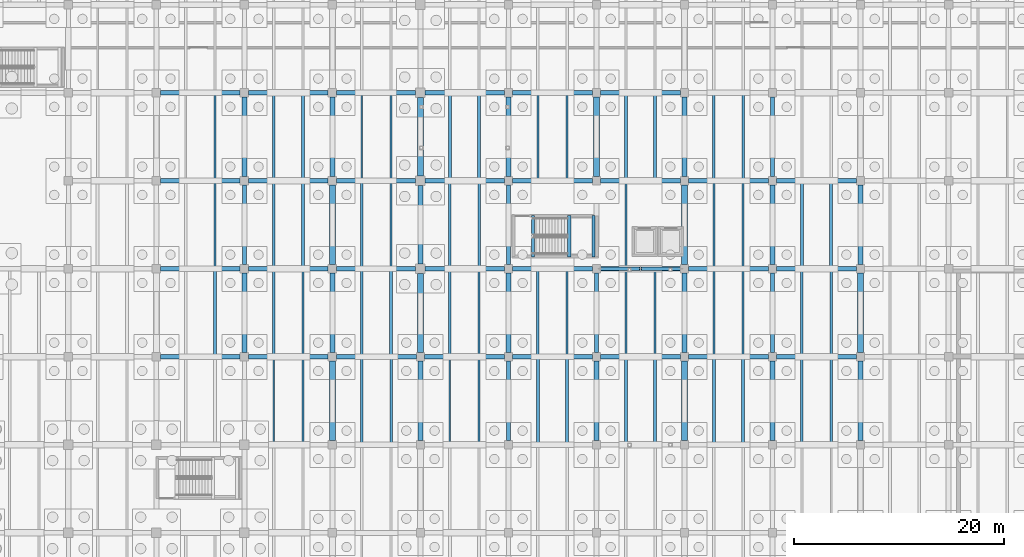
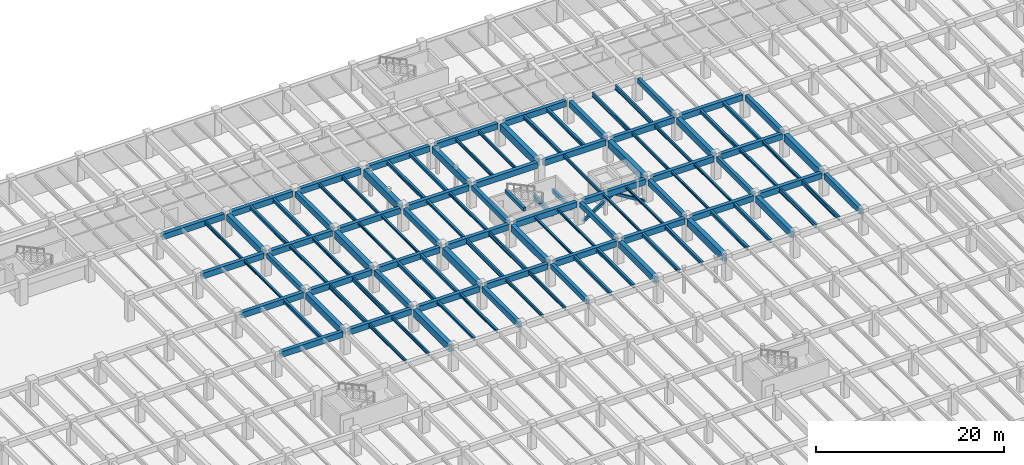
# One storey, part 29 of 70: 116 beams, 2 members.
"""IFC4 building model written with IfcOpenShell, lengths in metres."""

import ifcopenshell
import ifcopenshell.guid

model = None  # the IFC model being written
_history = None  # IfcOwnerHistory: only IFC2X3 demands one
_inside = {}  # id of a spatial element -> (the spatial element, [elements in it])
_under = {}  # id of a project, library or spatial element -> (it, [spatial elements below it])
_declared = {}  # id of a project -> (the project, [libraries it declares])
_typed = {}  # id of a type object -> (the type object, [elements of that type])
_made_of = {}  # id of a material, layer set ... -> (it, [elements and type objects made of it])


def new_model(schema):
    """Start an empty IFC model of exactly this schema.

    Asked for "IFC4X3", IfcOpenShell would pick the latest addendum, in which some entities
    have other attributes; the version numbers below select the first issue.
    IFC2X3 requires an IfcOwnerHistory on every rooted entity: one is made here for all.
    """
    global model, _history
    if schema == "IFC4X3":
        model = ifcopenshell.file(schema_version=(4, 3, 0, 0))
    else:
        model = ifcopenshell.file(schema=schema)
    _inside.clear()
    _under.clear()
    _declared.clear()
    _typed.clear()
    _made_of.clear()
    _history = None
    if model.schema == "IFC2X3":
        org = make("IfcOrganization", Name="unknown")
        user = make(
            "IfcPersonAndOrganization",
            ThePerson=make("IfcPerson", FamilyName="unknown"),
            TheOrganization=org,
        )
        app = make(
            "IfcApplication",
            ApplicationDeveloper=org,
            Version="unknown",
            ApplicationFullName="unknown",
            ApplicationIdentifier="unknown",
        )
        _history = make(
            "IfcOwnerHistory",
            OwningUser=user,
            OwningApplication=app,
            ChangeAction="ADDED",
            CreationDate=0,
        )
    return model


def make(cls, **values):
    """One entity of the class cls with the attributes given. An attribute that is None is left unset."""
    return model.create_entity(
        cls, **{name: value for name, value in values.items() if value is not None}
    )


def rooted(cls, **values):
    """An entity with a GlobalId (a new one), such as an element, a storey or a relation."""
    return make(cls, GlobalId=ifcopenshell.guid.new(), OwnerHistory=_history, **values)


def si_unit(unit_type, name, prefix=None):
    """IfcSIUnit, for example si_unit("LENGTHUNIT", "METRE", prefix="MILLI")."""
    return make("IfcSIUnit", UnitType=unit_type, Prefix=prefix, Name=name)


def assignment(units):
    """IfcUnitAssignment: the units of a project."""
    return None if units is None else make("IfcUnitAssignment", Units=units)


def point(xyz):
    """IfcCartesianPoint."""
    return None if xyz is None else make("IfcCartesianPoint", Coordinates=xyz)


def direction(xyz):
    """IfcDirection."""
    return None if xyz is None else make("IfcDirection", DirectionRatios=xyz)


def frame(location, z_axis=None, x_axis=None):
    """IfcAxis2Placement3D, a coordinate frame: its origin and axes. An axis left out is left unset."""
    return make(
        "IfcAxis2Placement3D",
        Location=point(location),
        Axis=direction(z_axis),
        RefDirection=direction(x_axis),
    )


def frame_2d(location, x_axis=None):
    """IfcAxis2Placement2D, a coordinate frame in the plane: its origin and x axis."""
    return make(
        "IfcAxis2Placement2D", Location=point(location), RefDirection=direction(x_axis)
    )


def origin():
    """The frame at (0, 0, 0) with its axes left unset."""
    return frame((0.0, 0.0, 0.0))


def origin_2d():
    """The frame at (0, 0) in the plane with its x axis left unset."""
    return frame_2d((0.0, 0.0))


def place(relative_to, where):
    """IfcLocalPlacement: puts the frame where relative to a parent placement (None: the world)."""
    return make(
        "IfcLocalPlacement", PlacementRelTo=relative_to, RelativePlacement=where
    )


def context(
    kind, dimensions, precision=None, world=None, true_north=None, identifier=None
):
    """IfcGeometricRepresentationContext, for example the 3D "Model" context."""
    return make(
        "IfcGeometricRepresentationContext",
        ContextIdentifier=identifier,
        ContextType=kind,
        CoordinateSpaceDimension=dimensions,
        Precision=precision,
        WorldCoordinateSystem=world,
        TrueNorth=true_north,
    )


def subcontext(parent, identifier, kind, view, scale=None):
    """IfcGeometricRepresentationSubContext, for example "Body" below "Model"."""
    return make(
        "IfcGeometricRepresentationSubContext",
        ContextIdentifier=identifier,
        ContextType=kind,
        ParentContext=parent,
        TargetScale=scale,
        TargetView=view,
    )


def project(units=None, contexts=None):
    """IfcProject with its units and contexts."""
    return rooted(
        "IfcProject",
        Name="project",
        RepresentationContexts=contexts,
        UnitsInContext=assignment(units),
    )


def spatial(cls, under=None, at=None, **own):
    """A site, building, storey or space (cls), placed at a placement, below another one or the project."""
    s = rooted(cls, ObjectPlacement=at, **own)
    if under is not None:
        _under.setdefault(under.id(), (under, []))[1].append(s)
    return s


def profile(cls, at=None, kind="AREA", **sizes):
    """A parametric profile (cls). Its sizes go by their IFC names, for example OverallWidth=200.0."""
    return make(cls, ProfileType=kind, Position=at, **sizes)


def rectangle(**sizes):
    """IfcRectangleProfileDef."""
    return profile("IfcRectangleProfileDef", **sizes)


def hollow_rectangle(**sizes):
    """IfcRectangleHollowProfileDef."""
    return profile("IfcRectangleHollowProfileDef", **sizes)


def i_section(**sizes):
    """IfcIShapeProfileDef."""
    return profile("IfcIShapeProfileDef", **sizes)


def extrude(swept, where, along, depth):
    """IfcExtrudedAreaSolid: the profile swept, set in the frame where, extruded along a direction by depth."""
    return make(
        "IfcExtrudedAreaSolid",
        SweptArea=swept,
        Position=where,
        ExtrudedDirection=direction(along),
        Depth=depth,
    )


def shape(context_of_items, identifier, shape_type, items):
    """IfcShapeRepresentation: the items that make up one representation, for example the "Body"."""
    return make(
        "IfcShapeRepresentation",
        ContextOfItems=context_of_items,
        RepresentationIdentifier=identifier,
        RepresentationType=shape_type,
        Items=items,
    )


def material(Name=None, Category=None):
    """IfcMaterial."""
    return make("IfcMaterial", Name=Name, Category=Category)


def material_profile(
    of_material, cross_section, Name=None, Category=None, Priority=None
):
    """IfcMaterialProfile: a cross section and its material."""
    return make(
        "IfcMaterialProfile",
        Name=Name,
        Material=of_material,
        Profile=cross_section,
        Priority=Priority,
        Category=Category,
    )


def profile_set(profiles, Name=None, composite=None):
    """IfcMaterialProfileSet."""
    return make(
        "IfcMaterialProfileSet",
        Name=Name,
        MaterialProfiles=profiles,
        CompositeProfile=composite,
    )


def made_of(thing, what):
    """Note that an element or type object is made of a material, layer set ...; save() writes the relation."""
    if what is not None:
        _made_of.setdefault(what.id(), (what, []))[1].append(thing)
    return thing


def type_object(cls, material=None, **own):
    """A type object (cls), such as IfcWallType, which elements share."""
    return made_of(rooted(cls, **own), material)


def element(
    cls,
    number,
    at=None,
    inside=None,
    cuts=None,
    type_object=None,
    material=None,
    context=None,
    identifier="Body",
    shape_type=None,
    held_by="IfcProductDefinitionShape",
    body=None,
    shapes=None,
    **own,
):
    """One element of the class cls, such as IfcWall. Its Tag is "e" and its number.

    at: its placement. inside: the storey or other place that contains it. cuts: it is an
    opening in that element (IfcRelVoidsElement). A single representation is given by context,
    identifier, shape_type and body (its items); several are given by shapes. held_by: the class
    of the entity that holds the representations. save() writes the other relations.
    """
    e = rooted(cls, Tag="e%d" % number, ObjectPlacement=at, **own)
    if body is not None:
        shapes = [shape(context, identifier, shape_type, body)]
    if shapes is not None:
        e.Representation = make(held_by, Representations=shapes)
    if inside is not None:
        _inside.setdefault(inside.id(), (inside, []))[1].append(e)
    if cuts is not None:
        rooted(
            "IfcRelVoidsElement", RelatingBuildingElement=cuts, RelatedOpeningElement=e
        )
    if type_object is not None:
        _typed.setdefault(type_object.id(), (type_object, []))[1].append(e)
    return made_of(e, material)


def aggregate(whole, parts):
    """IfcRelAggregates: a whole, such as a stair, and the parts it consists of."""
    return rooted("IfcRelAggregates", RelatingObject=whole, RelatedObjects=parts)


def save(model, path):
    """Write the relations noted so far, then the file.

    IfcRelAggregates (storeys below a building ...), IfcRelContainedInSpatialStructure (elements
    in a storey), IfcRelDefinesByType, IfcRelAssociatesMaterial and IfcRelDeclares: one each for
    every whole, place, type object, material and project.
    """
    for whole, parts in _under.values():
        aggregate(whole, parts)
    for where, things in _inside.values():
        rooted(
            "IfcRelContainedInSpatialStructure",
            RelatedElements=things,
            RelatingStructure=where,
        )
    for kind, things in _typed.values():
        rooted("IfcRelDefinesByType", RelatedObjects=things, RelatingType=kind)
    for what, things in _made_of.values():
        rooted("IfcRelAssociatesMaterial", RelatedObjects=things, RelatingMaterial=what)
    for by, libraries in _declared.values():
        rooted("IfcRelDeclares", RelatingContext=by, RelatedDefinitions=libraries)
    model.write(path)


model = new_model("IFC4")

# Units and contexts
model_context = context("Model", 3, precision=1e-05, world=origin(), true_north=direction((0.0, 1.0)))
body_context = subcontext(model_context, "Body", "Model", "MODEL_VIEW")
ifc_project = project(units=[si_unit("LENGTHUNIT", "METRE"), si_unit("AREAUNIT", "SQUARE_METRE"), si_unit("VOLUMEUNIT", "CUBIC_METRE"), si_unit("PLANEANGLEUNIT", "RADIAN"), si_unit("MASSUNIT", "GRAM", prefix="KILO")], contexts=[model_context])

# Site, building, storey
site_placement = place(None, origin())
site = spatial("IfcSite", under=ifc_project, at=site_placement, CompositionType="ELEMENT")
building_placement = place(site_placement, origin())
building = spatial("IfcBuilding", under=site, at=building_placement, Name="Cumbredor Promenade Congress Hotel", CompositionType="ELEMENT")
storey_placement = place(building_placement, frame((0.0, 0.0, -7.56005859375)))
storey = spatial("IfcBuildingStorey", under=building, at=storey_placement, Name="B02", CompositionType="ELEMENT", Elevation=-7.56005859375)

# Beams
ifc_material_1 = material(Name="Concrete C40/50", Category="concrete")
ifc_material_profile_1 = material_profile(ifc_material_1, rectangle(XDim=0.39990234375, YDim=0.64990234375, at=origin_2d()), Name="RC BEAM 400x650")
ifc_profile_set_1 = profile_set([ifc_material_profile_1], Name="Concrete C40/50")
beam_type_1 = type_object("IfcBeamType", Name="BM-RC-400x650", PredefinedType="BEAM", material=ifc_profile_set_1)
beam_1_placement = place(storey_placement, frame((67.199951171875, 84.39990234375, 2.635009765625), z_axis=(0.0, 1.0, 0.0), x_axis=(-1.0, 0.0, 0.0)))
element("IfcBeam", 1, at=beam_1_placement, inside=storey, type_object=beam_type_1, Name="B01 Y-Grid Beam 196", PredefinedType="BEAM", context=body_context, shape_type="SweptSolid", body=[
    extrude(rectangle(XDim=0.39990234375, YDim=0.64990234375, at=origin_2d()), origin(), (0.0, 0.0, 1.0), 7.60009765625),
])
beam_2_placement = place(storey_placement, frame((92.39990234375, 67.60009765625, 2.635009765625), z_axis=(0.0, 1.0, 0.0), x_axis=(-1.0, 0.0, 0.0)))
element("IfcBeam", 2, at=beam_2_placement, inside=storey, type_object=beam_type_1, Name="B01 Y-Grid Beam 272", PredefinedType="BEAM", context=body_context, shape_type="SweptSolid", body=[
    extrude(rectangle(XDim=0.39990234375, YDim=0.64990234375, at=origin_2d()), origin(), (0.0, 0.0, 1.0), 7.599853515625),
])
for number, where, z_axis, x_axis, name in (
    (3, (92.39990234375, 84.39990234375, 2.635009765625), (0.0, 1.0, 0.0), (-1.0, 0.0, 0.0), "B01 Y-Grid Beam 276"),
    (4, (100.800048828125, 76.0, 2.635009765625), (0.0, 1.0, 0.0), (-1.0, 0.0, 0.0), "B01 Y-Grid Beam 300"),
    (5, (117.60009765625, 76.0, 2.635009765625), (0.0, 1.0, 0.0), (-1.0, 0.0, 0.0), "B01 Y-Grid Beam 352"),
):
    element("IfcBeam", number, at=place(storey_placement, frame(where, z_axis=z_axis, x_axis=x_axis)), inside=storey, type_object=beam_type_1, Name=name, PredefinedType="BEAM", context=body_context, shape_type="SweptSolid", body=[
        extrude(rectangle(XDim=0.39990234375, YDim=0.64990234375, at=origin_2d()), origin(), (0.0, 0.0, 1.0), 7.60009765625),
    ])
beam_3_placement = place(storey_placement, frame((117.60009765625, 92.800048828125, 2.635009765625), z_axis=(0.0, 1.0, 0.0), x_axis=(-1.0, 0.0, 0.0)))
element("IfcBeam", 6, at=beam_3_placement, inside=storey, type_object=beam_type_1, Name="B01 Y-Grid Beam 356", PredefinedType="BEAM", context=body_context, shape_type="SweptSolid", body=[
    extrude(rectangle(XDim=0.39990234375, YDim=0.64990234375, at=origin_2d()), origin(), (0.0, 0.0, 1.0), 7.599853515625),
])
ifc_material_profile_2 = material_profile(ifc_material_1, rectangle(XDim=0.449951171875, YDim=0.75, at=origin_2d()), Name="RC BEAM 450x750")
ifc_profile_set_2 = profile_set([ifc_material_profile_2], Name="Concrete C40/50")
beam_type_2 = type_object("IfcBeamType", Name="BM-RC-450x750", PredefinedType="BEAM", material=ifc_profile_set_2)
for number, where, z_axis, x_axis, name in (
    (7, (59.199951171875, 75.60009765625, 2.5849609375), (1.0, 0.0, 0.0), (0.0, 1.0, 0.0), "B01 X-Grid Beam 166"),
    (8, (59.199951171875, 84.0, 2.5849609375), (1.0, 0.0, 0.0), (0.0, 1.0, 0.0), "B01 X-Grid Beam 168"),
    (9, (59.199951171875, 92.39990234375, 2.5849609375), (1.0, 0.0, 0.0), (0.0, 1.0, 0.0), "B01 X-Grid Beam 170"),
    (10, (59.199951171875, 100.800048828125, 2.5849609375), (1.0, 0.0, 0.0), (0.0, 1.0, 0.0), "B01 X-Grid Beam 172"),
):
    element("IfcBeam", number, at=place(storey_placement, frame(where, z_axis=z_axis, x_axis=x_axis)), inside=storey, type_object=beam_type_2, Name=name, PredefinedType="BEAM", context=body_context, shape_type="SweptSolid", body=[
        extrude(rectangle(XDim=0.449951171875, YDim=0.75, at=origin_2d()), origin(), (0.0, 0.0, 1.0), 7.60009765625),
    ])
for number, where, z_axis, x_axis, name in (
    (11, (67.60009765625, 75.60009765625, 2.5849609375), (1.0, 0.0, 0.0), (0.0, 1.0, 0.0), "B01 X-Grid Beam 193"),
    (12, (67.60009765625, 84.0, 2.5849609375), (1.0, 0.0, 0.0), (0.0, 1.0, 0.0), "B01 X-Grid Beam 195"),
    (13, (67.60009765625, 92.39990234375, 2.5849609375), (1.0, 0.0, 0.0), (0.0, 1.0, 0.0), "B01 X-Grid Beam 197"),
    (14, (67.60009765625, 100.800048828125, 2.5849609375), (1.0, 0.0, 0.0), (0.0, 1.0, 0.0), "B01 X-Grid Beam 199"),
):
    element("IfcBeam", number, at=place(storey_placement, frame(where, z_axis=z_axis, x_axis=x_axis)), inside=storey, type_object=beam_type_2, Name=name, PredefinedType="BEAM", context=body_context, shape_type="SweptSolid", body=[
        extrude(rectangle(XDim=0.449951171875, YDim=0.75, at=origin_2d()), origin(), (0.0, 0.0, 1.0), 7.599853515625),
    ])
for number, where, z_axis, x_axis, name in (
    (15, (76.0, 75.60009765625, 2.5849609375), (1.0, 0.0, 0.0), (0.0, 1.0, 0.0), "B01 X-Grid Beam 220"),
    (16, (75.60009765625, 76.0, 2.5849609375), (0.0, 1.0, 0.0), (-1.0, 0.0, 0.0), "B01 Y-Grid Beam 221"),
):
    element("IfcBeam", number, at=place(storey_placement, frame(where, z_axis=z_axis, x_axis=x_axis)), inside=storey, type_object=beam_type_2, Name=name, PredefinedType="BEAM", context=body_context, shape_type="SweptSolid", body=[
        extrude(rectangle(XDim=0.449951171875, YDim=0.75, at=origin_2d()), origin(), (0.0, 0.0, 1.0), 7.60009765625),
    ])
for number, where, z_axis, x_axis, name in (
    (17, (76.0, 84.0, 2.5849609375), (1.0, 0.0, 0.0), (0.0, 1.0, 0.0), "B01 X-Grid Beam 222"),
    (18, (76.0, 92.39990234375, 2.5849609375), (1.0, 0.0, 0.0), (0.0, 1.0, 0.0), "B01 X-Grid Beam 224"),
):
    element("IfcBeam", number, at=place(storey_placement, frame(where, z_axis=z_axis, x_axis=x_axis)), inside=storey, type_object=beam_type_2, Name=name, PredefinedType="BEAM", context=body_context, shape_type="SweptSolid", body=[
        extrude(rectangle(XDim=0.449951171875, YDim=0.75, at=origin_2d()), origin(), (0.0, 0.0, 1.0), 7.550048828125),
    ])
beam_4_placement = place(storey_placement, frame((75.60009765625, 92.800048828125, 2.5849609375), z_axis=(0.0, 1.0, 0.0), x_axis=(-1.0, 0.0, 0.0)))
element("IfcBeam", 19, at=beam_4_placement, inside=storey, type_object=beam_type_2, Name="B01 Y-Grid Beam 225", PredefinedType="BEAM", context=body_context, shape_type="SweptSolid", body=[
    extrude(rectangle(XDim=0.449951171875, YDim=0.75, at=origin_2d()), origin(), (0.0, 0.0, 1.0), 7.599853515625),
])
beam_5_placement = place(storey_placement, frame((76.0, 100.800048828125, 2.5849609375), z_axis=(1.0, 0.0, 0.0), x_axis=(0.0, 1.0, 0.0)))
element("IfcBeam", 20, at=beam_5_placement, inside=storey, type_object=beam_type_2, Name="B01 X-Grid Beam 226", PredefinedType="BEAM", context=body_context, shape_type="SweptSolid", body=[
    extrude(rectangle(XDim=0.449951171875, YDim=0.75, at=origin_2d()), origin(), (0.0, 0.0, 1.0), 7.550048828125),
])
beam_6_placement = place(storey_placement, frame((84.0, 67.60009765625, 2.5849609375), z_axis=(0.0, 1.0, 0.0), x_axis=(-1.0, 0.0, 0.0)))
element("IfcBeam", 21, at=beam_6_placement, inside=storey, type_object=beam_type_2, Name="B01 Y-Grid Beam 245", PredefinedType="BEAM", context=body_context, shape_type="SweptSolid", body=[
    extrude(rectangle(XDim=0.449951171875, YDim=0.75, at=origin_2d()), origin(), (0.0, 0.0, 1.0), 7.599853515625),
])
beam_7_placement = place(storey_placement, frame((84.39990234375, 75.60009765625, 2.5849609375), z_axis=(1.0, 0.0, 0.0), x_axis=(0.0, 1.0, 0.0)))
element("IfcBeam", 22, at=beam_7_placement, inside=storey, type_object=beam_type_2, Name="B01 X-Grid Beam 246", PredefinedType="BEAM", context=body_context, shape_type="SweptSolid", body=[
    extrude(rectangle(XDim=0.449951171875, YDim=0.75, at=origin_2d()), origin(), (0.0, 0.0, 1.0), 7.60009765625),
])
beam_8_placement = place(storey_placement, frame((84.449951171875, 84.0, 2.5849609375), z_axis=(1.0, 0.0, 0.0), x_axis=(0.0, 1.0, 0.0)))
element("IfcBeam", 23, at=beam_8_placement, inside=storey, type_object=beam_type_2, Name="B01 X-Grid Beam 248", PredefinedType="BEAM", context=body_context, shape_type="SweptSolid", body=[
    extrude(rectangle(XDim=0.449951171875, YDim=0.75, at=origin_2d()), origin(), (0.0, 0.0, 1.0), 7.550048828125),
])
beam_9_placement = place(storey_placement, frame((84.0, 84.449951171875, 2.5849609375), z_axis=(0.0, 1.0, 0.0), x_axis=(-1.0, 0.0, 0.0)))
element("IfcBeam", 24, at=beam_9_placement, inside=storey, type_object=beam_type_2, Name="B01 Y-Grid Beam 249", PredefinedType="BEAM", context=body_context, shape_type="SweptSolid", body=[
    extrude(rectangle(XDim=0.449951171875, YDim=0.75, at=origin_2d()), origin(), (0.0, 0.0, 1.0), 7.5),
])
for number, where, z_axis, x_axis, name in (
    (25, (84.449951171875, 92.39990234375, 2.5849609375), (1.0, 0.0, 0.0), (0.0, 1.0, 0.0), "B01 X-Grid Beam 250"),
    (26, (84.449951171875, 100.800048828125, 2.5849609375), (1.0, 0.0, 0.0), (0.0, 1.0, 0.0), "B01 X-Grid Beam 252"),
):
    element("IfcBeam", number, at=place(storey_placement, frame(where, z_axis=z_axis, x_axis=x_axis)), inside=storey, type_object=beam_type_2, Name=name, PredefinedType="BEAM", context=body_context, shape_type="SweptSolid", body=[
        extrude(rectangle(XDim=0.449951171875, YDim=0.75, at=origin_2d()), origin(), (0.0, 0.0, 1.0), 7.550048828125),
    ])
for number, where, z_axis, x_axis, name in (
    (27, (92.800048828125, 75.60009765625, 2.5849609375), (1.0, 0.0, 0.0), (0.0, 1.0, 0.0), "B01 X-Grid Beam 273"),
    (28, (92.800048828125, 84.0, 2.5849609375), (1.0, 0.0, 0.0), (0.0, 1.0, 0.0), "B01 X-Grid Beam 275"),
    (29, (92.800048828125, 92.39990234375, 2.5849609375), (1.0, 0.0, 0.0), (0.0, 1.0, 0.0), "B01 X-Grid Beam 277"),
    (30, (92.800048828125, 100.800048828125, 2.5849609375), (1.0, 0.0, 0.0), (0.0, 1.0, 0.0), "B01 X-Grid Beam 279"),
):
    element("IfcBeam", number, at=place(storey_placement, frame(where, z_axis=z_axis, x_axis=x_axis)), inside=storey, type_object=beam_type_2, Name=name, PredefinedType="BEAM", context=body_context, shape_type="SweptSolid", body=[
        extrude(rectangle(XDim=0.449951171875, YDim=0.75, at=origin_2d()), origin(), (0.0, 0.0, 1.0), 7.599853515625),
    ])
for number, where, z_axis, x_axis, name in (
    (31, (101.199951171875, 75.60009765625, 2.5849609375), (1.0, 0.0, 0.0), (0.0, 1.0, 0.0), "B01 X-Grid Beam 299"),
    (32, (101.199951171875, 84.0, 2.5849609375), (1.0, 0.0, 0.0), (0.0, 1.0, 0.0), "B01 X-Grid Beam 301"),
    (33, (101.199951171875, 92.39990234375, 2.5849609375), (1.0, 0.0, 0.0), (0.0, 1.0, 0.0), "B01 X-Grid Beam 302"),
    (34, (101.199951171875, 100.800048828125, 2.5849609375), (1.0, 0.0, 0.0), (0.0, 1.0, 0.0), "B01 X-Grid Beam 304"),
):
    element("IfcBeam", number, at=place(storey_placement, frame(where, z_axis=z_axis, x_axis=x_axis)), inside=storey, type_object=beam_type_2, Name=name, PredefinedType="BEAM", context=body_context, shape_type="SweptSolid", body=[
        extrude(rectangle(XDim=0.449951171875, YDim=0.75, at=origin_2d()), origin(), (0.0, 0.0, 1.0), 7.60009765625),
    ])
beam_10_placement = place(storey_placement, frame((109.60009765625, 75.60009765625, 2.5849609375), z_axis=(1.0, 0.0, 0.0), x_axis=(0.0, 1.0, 0.0)))
element("IfcBeam", 35, at=beam_10_placement, inside=storey, type_object=beam_type_2, Name="B01 X-Grid Beam 324", PredefinedType="BEAM", context=body_context, shape_type="SweptSolid", body=[
    extrude(rectangle(XDim=0.449951171875, YDim=0.75, at=origin_2d()), origin(), (0.0, 0.0, 1.0), 7.599853515625),
])
beam_11_placement = place(storey_placement, frame((109.199951171875, 76.0, 2.5849609375), z_axis=(0.0, 1.0, 0.0), x_axis=(-1.0, 0.0, 0.0)))
element("IfcBeam", 36, at=beam_11_placement, inside=storey, type_object=beam_type_2, Name="B01 Y-Grid Beam 325", PredefinedType="BEAM", context=body_context, shape_type="SweptSolid", body=[
    extrude(rectangle(XDim=0.449951171875, YDim=0.75, at=origin_2d()), origin(), (0.0, 0.0, 1.0), 7.60009765625),
])
for number, where, z_axis, x_axis, name in (
    (37, (109.60009765625, 84.0, 2.5849609375), (1.0, 0.0, 0.0), (0.0, 1.0, 0.0), "B01 X-Grid Beam 326"),
    (38, (109.60009765625, 92.39990234375, 2.5849609375), (1.0, 0.0, 0.0), (0.0, 1.0, 0.0), "B01 X-Grid Beam 328"),
    (39, (109.199951171875, 92.800048828125, 2.5849609375), (0.0, 1.0, 0.0), (-1.0, 0.0, 0.0), "B01 Y-Grid Beam 329"),
):
    element("IfcBeam", number, at=place(storey_placement, frame(where, z_axis=z_axis, x_axis=x_axis)), inside=storey, type_object=beam_type_2, Name=name, PredefinedType="BEAM", context=body_context, shape_type="SweptSolid", body=[
        extrude(rectangle(XDim=0.449951171875, YDim=0.75, at=origin_2d()), origin(), (0.0, 0.0, 1.0), 7.599853515625),
    ])
for number, where, z_axis, x_axis, name in (
    (40, (118.0, 75.60009765625, 2.5849609375), (1.0, 0.0, 0.0), (0.0, 1.0, 0.0), "B01 X-Grid Beam 351"),
    (41, (118.0, 84.0, 2.5849609375), (1.0, 0.0, 0.0), (0.0, 1.0, 0.0), "B01 X-Grid Beam 353"),
    (42, (118.0, 92.39990234375, 2.5849609375), (1.0, 0.0, 0.0), (0.0, 1.0, 0.0), "B01 X-Grid Beam 355"),
):
    element("IfcBeam", number, at=place(storey_placement, frame(where, z_axis=z_axis, x_axis=x_axis)), inside=storey, type_object=beam_type_2, Name=name, PredefinedType="BEAM", context=body_context, shape_type="SweptSolid", body=[
        extrude(rectangle(XDim=0.449951171875, YDim=0.75, at=origin_2d()), origin(), (0.0, 0.0, 1.0), 7.60009765625),
    ])
beam_12_placement = place(storey_placement, frame((126.0, 67.60009765625, 2.5849609375), z_axis=(0.0, 1.0, 0.0), x_axis=(-1.0, 0.0, 0.0)))
element("IfcBeam", 43, at=beam_12_placement, inside=storey, type_object=beam_type_2, Name="B01 Y-Grid Beam 377", PredefinedType="BEAM", context=body_context, shape_type="SweptSolid", body=[
    extrude(rectangle(XDim=0.449951171875, YDim=0.75, at=origin_2d()), origin(), (0.0, 0.0, 1.0), 7.599853515625),
])
beam_13_placement = place(storey_placement, frame((126.0, 84.39990234375, 2.5849609375), z_axis=(0.0, 1.0, 0.0), x_axis=(-1.0, 0.0, 0.0)))
element("IfcBeam", 44, at=beam_13_placement, inside=storey, type_object=beam_type_2, Name="B01 Y-Grid Beam 381", PredefinedType="BEAM", context=body_context, shape_type="SweptSolid", body=[
    extrude(rectangle(XDim=0.449951171875, YDim=0.75, at=origin_2d()), origin(), (0.0, 0.0, 1.0), 7.60009765625),
])
ifc_material_profile_3 = material_profile(ifc_material_1, rectangle(XDim=0.5, YDim=0.85009765625, at=origin_2d()), Name="RC BEAM 500x850")
ifc_profile_set_3 = profile_set([ifc_material_profile_3], Name="Concrete C40/50")
beam_type_3 = type_object("IfcBeamType", Name="BM-RC-500x850", PredefinedType="BEAM", material=ifc_profile_set_3)
beam_14_placement = place(storey_placement, frame((67.199951171875, 76.0, 2.53515625), z_axis=(0.0, 1.0, 0.0), x_axis=(-1.0, 0.0, 0.0)))
element("IfcBeam", 45, at=beam_14_placement, inside=storey, type_object=beam_type_3, Name="B01 Y-Grid Beam 194", PredefinedType="BEAM", context=body_context, shape_type="SweptSolid", body=[
    extrude(rectangle(XDim=0.5, YDim=0.85009765625, at=origin_2d()), origin(), (0.0, 0.0, 1.0), 7.60009765625),
])
beam_15_placement = place(storey_placement, frame((67.199951171875, 92.800048828125, 2.53515625), z_axis=(0.0, 1.0, 0.0), x_axis=(-1.0, 0.0, 0.0)))
element("IfcBeam", 46, at=beam_15_placement, inside=storey, type_object=beam_type_3, Name="B01 Y-Grid Beam 198", PredefinedType="BEAM", context=body_context, shape_type="SweptSolid", body=[
    extrude(rectangle(XDim=0.5, YDim=0.85009765625, at=origin_2d()), origin(), (0.0, 0.0, 1.0), 7.599853515625),
])
beam_16_placement = place(storey_placement, frame((92.39990234375, 76.0, 2.53515625), z_axis=(0.0, 1.0, 0.0), x_axis=(-1.0, 0.0, 0.0)))
element("IfcBeam", 47, at=beam_16_placement, inside=storey, type_object=beam_type_3, Name="B01 Y-Grid Beam 274", PredefinedType="BEAM", context=body_context, shape_type="SweptSolid", body=[
    extrude(rectangle(XDim=0.5, YDim=0.85009765625, at=origin_2d()), origin(), (0.0, 0.0, 1.0), 7.60009765625),
])
for number, where, z_axis, x_axis, name in (
    (48, (92.39990234375, 92.800048828125, 2.53515625), (0.0, 1.0, 0.0), (-1.0, 0.0, 0.0), "B01 Y-Grid Beam 278"),
    (49, (100.800048828125, 67.60009765625, 2.53515625), (0.0, 1.0, 0.0), (-1.0, 0.0, 0.0), "B01 Y-Grid Beam 298"),
    (50, (117.60009765625, 67.60009765625, 2.53515625), (0.0, 1.0, 0.0), (-1.0, 0.0, 0.0), "B01 Y-Grid Beam 350"),
):
    element("IfcBeam", number, at=place(storey_placement, frame(where, z_axis=z_axis, x_axis=x_axis)), inside=storey, type_object=beam_type_3, Name=name, PredefinedType="BEAM", context=body_context, shape_type="SweptSolid", body=[
        extrude(rectangle(XDim=0.5, YDim=0.85009765625, at=origin_2d()), origin(), (0.0, 0.0, 1.0), 7.599853515625),
    ])
beam_17_placement = place(storey_placement, frame((117.60009765625, 84.39990234375, 2.53515625), z_axis=(0.0, 1.0, 0.0), x_axis=(-1.0, 0.0, 0.0)))
element("IfcBeam", 51, at=beam_17_placement, inside=storey, type_object=beam_type_3, Name="B01 Y-Grid Beam 354", PredefinedType="BEAM", context=body_context, shape_type="SweptSolid", body=[
    extrude(rectangle(XDim=0.5, YDim=0.85009765625, at=origin_2d()), origin(), (0.0, 0.0, 1.0), 7.60009765625),
])
ifc_material_profile_4 = material_profile(ifc_material_1, rectangle(XDim=0.550048828125, YDim=0.949951171875, at=origin_2d()), Name="RC BEAM 550x950")
ifc_profile_set_4 = profile_set([ifc_material_profile_4], Name="Concrete C40/50")
beam_type_4 = type_object("IfcBeamType", Name="BM-RC-550x950", PredefinedType="BEAM", material=ifc_profile_set_4)
beam_18_placement = place(storey_placement, frame((75.60009765625, 67.60009765625, 2.485107421875), z_axis=(0.0, 1.0, 0.0), x_axis=(-1.0, 0.0, 0.0)))
element("IfcBeam", 52, at=beam_18_placement, inside=storey, type_object=beam_type_4, Name="B01 Y-Grid Beam 219", PredefinedType="BEAM", context=body_context, shape_type="SweptSolid", body=[
    extrude(rectangle(XDim=0.550048828125, YDim=0.949951171875, at=origin_2d()), origin(), (0.0, 0.0, 1.0), 7.599853515625),
])
beam_19_placement = place(storey_placement, frame((75.60009765625, 84.39990234375, 2.485107421875), z_axis=(0.0, 1.0, 0.0), x_axis=(-1.0, 0.0, 0.0)))
element("IfcBeam", 53, at=beam_19_placement, inside=storey, type_object=beam_type_4, Name="B01 Y-Grid Beam 223", PredefinedType="BEAM", context=body_context, shape_type="SweptSolid", body=[
    extrude(rectangle(XDim=0.550048828125, YDim=0.949951171875, at=origin_2d()), origin(), (0.0, 0.0, 1.0), 7.60009765625),
])
beam_20_placement = place(storey_placement, frame((84.0, 76.0, 2.485107421875), z_axis=(0.0, 1.0, 0.0), x_axis=(-1.0, 0.0, 0.0)))
element("IfcBeam", 54, at=beam_20_placement, inside=storey, type_object=beam_type_4, Name="B01 Y-Grid Beam 247", PredefinedType="BEAM", context=body_context, shape_type="SweptSolid", body=[
    extrude(rectangle(XDim=0.550048828125, YDim=0.949951171875, at=origin_2d()), origin(), (0.0, 0.0, 1.0), 7.550048828125),
])
beam_21_placement = place(storey_placement, frame((84.0, 92.85009765625, 2.485107421875), z_axis=(0.0, 1.0, 0.0), x_axis=(-1.0, 0.0, 0.0)))
element("IfcBeam", 55, at=beam_21_placement, inside=storey, type_object=beam_type_4, Name="B01 Y-Grid Beam 251", PredefinedType="BEAM", context=body_context, shape_type="SweptSolid", body=[
    extrude(rectangle(XDim=0.550048828125, YDim=0.949951171875, at=origin_2d()), origin(), (0.0, 0.0, 1.0), 7.5),
])
for number, where, z_axis, x_axis, name in (
    (56, (100.800048828125, 92.800048828125, 2.485107421875), (0.0, 1.0, 0.0), (-1.0, 0.0, 0.0), "B01 Y-Grid Beam 303"),
    (57, (109.199951171875, 67.60009765625, 2.485107421875), (0.0, 1.0, 0.0), (-1.0, 0.0, 0.0), "B01 Y-Grid Beam 323"),
):
    element("IfcBeam", number, at=place(storey_placement, frame(where, z_axis=z_axis, x_axis=x_axis)), inside=storey, type_object=beam_type_4, Name=name, PredefinedType="BEAM", context=body_context, shape_type="SweptSolid", body=[
        extrude(rectangle(XDim=0.550048828125, YDim=0.949951171875, at=origin_2d()), origin(), (0.0, 0.0, 1.0), 7.599853515625),
    ])
for number, where, z_axis, x_axis, name in (
    (58, (109.199951171875, 84.39990234375, 2.485107421875), (0.0, 1.0, 0.0), (-1.0, 0.0, 0.0), "B01 Y-Grid Beam 327"),
    (59, (126.0, 76.0, 2.485107421875), (0.0, 1.0, 0.0), (-1.0, 0.0, 0.0), "B01 Y-Grid Beam 379"),
):
    element("IfcBeam", number, at=place(storey_placement, frame(where, z_axis=z_axis, x_axis=x_axis)), inside=storey, type_object=beam_type_4, Name=name, PredefinedType="BEAM", context=body_context, shape_type="SweptSolid", body=[
        extrude(rectangle(XDim=0.550048828125, YDim=0.949951171875, at=origin_2d()), origin(), (0.0, 0.0, 1.0), 7.60009765625),
    ])
ifc_material_2 = material(Name="Steel ASTM A992 Grade 50", Category="steel")
ifc_material_profile_5 = material_profile(ifc_material_2, i_section(OverallWidth=0.202880859375, OverallDepth=0.302978515625, WebThickness=0.007568359375, FlangeThickness=0.01318359375, at=origin_2d()), Name="W12X40")
ifc_profile_set_5 = profile_set([ifc_material_profile_5], Name="Steel ASTM A992 Grade 50")
beam_type_5 = type_object("IfcBeamType", Name="JST-W12X40", PredefinedType="JOIST", material=ifc_profile_set_5)
for number, where, z_axis, x_axis, name in (
    (60, (64.39990234375, 84.22509765625, 2.80859375), (0.0, 1.0, 0.0), (-1.0, 0.0, 0.0), "B01 Secondary Floor Joist 0141"),
    (61, (78.39990234375, 84.22509765625, 2.80859375), (0.0, 1.0, 0.0), (-1.0, 0.0, 0.0), "B01 Secondary Floor Joist 0190"),
    (62, (81.199951171875, 84.22509765625, 2.80859375), (0.0, 1.0, 0.0), (-1.0, 0.0, 0.0), "B01 Secondary Floor Joist 0191"),
    (63, (95.199951171875, 75.824951171875, 2.80859375), (0.0, 1.0, 0.0), (-1.0, 0.0, 0.0), "B01 Secondary Floor Joist 0240"),
    (64, (98.0, 75.824951171875, 2.80859375), (0.0, 1.0, 0.0), (-1.0, 0.0, 0.0), "B01 Secondary Floor Joist 0241"),
    (65, (103.60009765625, 75.824951171875, 2.80859375), (0.0, 1.0, 0.0), (-1.0, 0.0, 0.0), "B01 Secondary Floor Joist 0260"),
    (66, (106.39990234375, 75.824951171875, 2.80859375), (0.0, 1.0, 0.0), (-1.0, 0.0, 0.0), "B01 Secondary Floor Joist 0261"),
    (67, (112.0, 75.824951171875, 2.80859375), (0.0, 1.0, 0.0), (-1.0, 0.0, 0.0), "B01 Secondary Floor Joist 0285"),
    (68, (114.800048828125, 75.824951171875, 2.80859375), (0.0, 1.0, 0.0), (-1.0, 0.0, 0.0), "B01 Secondary Floor Joist 0286"),
):
    element("IfcBeam", number, at=place(storey_placement, frame(where, z_axis=z_axis, x_axis=x_axis)), inside=storey, type_object=beam_type_5, Name=name, PredefinedType="JOIST", context=body_context, shape_type="SweptSolid", body=[
        extrude(i_section(OverallWidth=0.202880859375, OverallDepth=0.302978515625, WebThickness=0.007568359375, FlangeThickness=0.01318359375, at=origin_2d()), origin(), (0.0, 0.0, 1.0), 7.949951171875),
    ])
ifc_material_profile_6 = material_profile(ifc_material_2, i_section(OverallWidth=0.2548828125, OverallDepth=0.35693359375, WebThickness=0.010498046875, FlangeThickness=0.018310546875, at=origin_2d()), Name="W14X68")
ifc_profile_set_6 = profile_set([ifc_material_profile_6], Name="Steel ASTM A992 Grade 50")
beam_type_6 = type_object("IfcBeamType", Name="JST-W14X68", PredefinedType="JOIST", material=ifc_profile_set_6)
for number, where, z_axis, x_axis, name in (
    (69, (70.0, 84.22509765625, 2.781494140625), (0.0, 1.0, 0.0), (-1.0, 0.0, 0.0), "B01 Secondary Floor Joist 0166"),
    (70, (72.800048828125, 84.22509765625, 2.781494140625), (0.0, 1.0, 0.0), (-1.0, 0.0, 0.0), "B01 Secondary Floor Joist 0167"),
    (71, (78.39990234375, 67.425048828125, 2.781494140625), (0.0, 1.0, 0.0), (-1.0, 0.0, 0.0), "B01 Secondary Floor Joist 0186"),
    (72, (81.199951171875, 67.425048828125, 2.781494140625), (0.0, 1.0, 0.0), (-1.0, 0.0, 0.0), "B01 Secondary Floor Joist 0187"),
    (73, (86.800048828125, 84.22509765625, 2.781494140625), (0.0, 1.0, 0.0), (-1.0, 0.0, 0.0), "B01 Secondary Floor Joist 0216"),
    (74, (89.60009765625, 84.22509765625, 2.781494140625), (0.0, 1.0, 0.0), (-1.0, 0.0, 0.0), "B01 Secondary Floor Joist 0217"),
    (75, (120.39990234375, 75.824951171875, 2.781494140625), (0.0, 1.0, 0.0), (-1.0, 0.0, 0.0), "B01 Secondary Floor Joist 0311"),
    (76, (123.199951171875, 75.824951171875, 2.781494140625), (0.0, 1.0, 0.0), (-1.0, 0.0, 0.0), "B01 Secondary Floor Joist 0312"),
):
    element("IfcBeam", number, at=place(storey_placement, frame(where, z_axis=z_axis, x_axis=x_axis)), inside=storey, type_object=beam_type_6, Name=name, PredefinedType="JOIST", context=body_context, shape_type="SweptSolid", body=[
        extrude(i_section(OverallWidth=0.2548828125, OverallDepth=0.35693359375, WebThickness=0.010498046875, FlangeThickness=0.018310546875, at=origin_2d()), origin(), (0.0, 0.0, 1.0), 7.949951171875),
    ])
ifc_material_profile_7 = material_profile(ifc_material_2, i_section(OverallWidth=0.180908203125, OverallDepth=0.4169921875, WebThickness=0.010986328125, FlangeThickness=0.018310546875, at=origin_2d()), Name="W16X57")
ifc_profile_set_7 = profile_set([ifc_material_profile_7], Name="Steel ASTM A992 Grade 50")
beam_type_7 = type_object("IfcBeamType", Name="JST-W16X57", PredefinedType="JOIST", material=ifc_profile_set_7)
for number, where, z_axis, x_axis, name in (
    (77, (64.39990234375, 92.625, 2.75146484375), (0.0, 1.0, 0.0), (-1.0, 0.0, 0.0), "B01 Secondary Floor Joist 0143"),
    (78, (70.0, 67.425048828125, 2.75146484375), (0.0, 1.0, 0.0), (-1.0, 0.0, 0.0), "B01 Secondary Floor Joist 0162"),
    (79, (72.800048828125, 67.425048828125, 2.75146484375), (0.0, 1.0, 0.0), (-1.0, 0.0, 0.0), "B01 Secondary Floor Joist 0163"),
    (80, (78.39990234375, 92.625, 2.75146484375), (0.0, 1.0, 0.0), (-1.0, 0.0, 0.0), "B01 Secondary Floor Joist 0192"),
    (81, (81.199951171875, 92.625, 2.75146484375), (0.0, 1.0, 0.0), (-1.0, 0.0, 0.0), "B01 Secondary Floor Joist 0193"),
    (82, (86.800048828125, 67.425048828125, 2.75146484375), (0.0, 1.0, 0.0), (-1.0, 0.0, 0.0), "B01 Secondary Floor Joist 0212"),
    (83, (89.60009765625, 67.425048828125, 2.75146484375), (0.0, 1.0, 0.0), (-1.0, 0.0, 0.0), "B01 Secondary Floor Joist 0213"),
    (84, (95.199951171875, 92.625, 2.75146484375), (0.0, 1.0, 0.0), (-1.0, 0.0, 0.0), "B01 Secondary Floor Joist 0242"),
    (85, (98.0, 92.625, 2.75146484375), (0.0, 1.0, 0.0), (-1.0, 0.0, 0.0), "B01 Secondary Floor Joist 0243"),
    (86, (103.60009765625, 84.22509765625, 2.75146484375), (0.0, 1.0, 0.0), (-1.0, 0.0, 0.0), "B01 Secondary Floor Joist 0262"),
    (87, (112.0, 84.22509765625, 2.75146484375), (0.0, 1.0, 0.0), (-1.0, 0.0, 0.0), "B01 Secondary Floor Joist 0287"),
    (88, (114.800048828125, 84.22509765625, 2.75146484375), (0.0, 1.0, 0.0), (-1.0, 0.0, 0.0), "B01 Secondary Floor Joist 0288"),
):
    element("IfcBeam", number, at=place(storey_placement, frame(where, z_axis=z_axis, x_axis=x_axis)), inside=storey, type_object=beam_type_7, Name=name, PredefinedType="JOIST", context=body_context, shape_type="SweptSolid", body=[
        extrude(i_section(OverallWidth=0.180908203125, OverallDepth=0.4169921875, WebThickness=0.010986328125, FlangeThickness=0.018310546875, at=origin_2d()), origin(), (0.0, 0.0, 1.0), 7.949951171875),
    ])
ifc_material_profile_8 = material_profile(ifc_material_2, i_section(OverallWidth=0.280029296875, OverallDepth=0.462890625, WebThickness=0.0107421875, FlangeThickness=0.017333984375, at=origin_2d()), Name="W18X76")
ifc_profile_set_8 = profile_set([ifc_material_profile_8], Name="Steel ASTM A992 Grade 50")
beam_type_8 = type_object("IfcBeamType", Name="JST-W18X76", PredefinedType="JOIST", material=ifc_profile_set_8)
for number, where, z_axis, x_axis, name in (
    (89, (64.39990234375, 75.824951171875, 2.728515625), (0.0, 1.0, 0.0), (-1.0, 0.0, 0.0), "B01 Secondary Floor Joist 0139"),
    (90, (70.0, 92.625, 2.728515625), (0.0, 1.0, 0.0), (-1.0, 0.0, 0.0), "B01 Secondary Floor Joist 0168"),
    (91, (72.800048828125, 92.625, 2.728515625), (0.0, 1.0, 0.0), (-1.0, 0.0, 0.0), "B01 Secondary Floor Joist 0169"),
    (92, (78.39990234375, 75.824951171875, 2.728515625), (0.0, 1.0, 0.0), (-1.0, 0.0, 0.0), "B01 Secondary Floor Joist 0188"),
    (93, (81.199951171875, 75.824951171875, 2.728515625), (0.0, 1.0, 0.0), (-1.0, 0.0, 0.0), "B01 Secondary Floor Joist 0189"),
    (94, (86.800048828125, 92.625, 2.728515625), (0.0, 1.0, 0.0), (-1.0, 0.0, 0.0), "B01 Secondary Floor Joist 0218"),
    (95, (89.60009765625, 92.625, 2.728515625), (0.0, 1.0, 0.0), (-1.0, 0.0, 0.0), "B01 Secondary Floor Joist 0219"),
    (96, (95.199951171875, 67.425048828125, 2.728515625), (0.0, 1.0, 0.0), (-1.0, 0.0, 0.0), "B01 Secondary Floor Joist 0238"),
    (97, (98.0, 67.425048828125, 2.728515625), (0.0, 1.0, 0.0), (-1.0, 0.0, 0.0), "B01 Secondary Floor Joist 0239"),
    (98, (103.60009765625, 67.425048828125, 2.728515625), (0.0, 1.0, 0.0), (-1.0, 0.0, 0.0), "B01 Secondary Floor Joist 0258"),
    (99, (106.39990234375, 67.425048828125, 2.728515625), (0.0, 1.0, 0.0), (-1.0, 0.0, 0.0), "B01 Secondary Floor Joist 0259"),
    (100, (103.60009765625, 92.625, 2.728515625), (0.0, 1.0, 0.0), (-1.0, 0.0, 0.0), "B01 Secondary Floor Joist 0263"),
    (101, (106.39990234375, 92.625, 2.728515625), (0.0, 1.0, 0.0), (-1.0, 0.0, 0.0), "B01 Secondary Floor Joist 0264"),
    (102, (112.0, 67.425048828125, 2.728515625), (0.0, 1.0, 0.0), (-1.0, 0.0, 0.0), "B01 Secondary Floor Joist 0283"),
    (103, (114.800048828125, 67.425048828125, 2.728515625), (0.0, 1.0, 0.0), (-1.0, 0.0, 0.0), "B01 Secondary Floor Joist 0284"),
    (104, (120.39990234375, 84.22509765625, 2.728515625), (0.0, 1.0, 0.0), (-1.0, 0.0, 0.0), "B01 Secondary Floor Joist 0313"),
    (105, (123.199951171875, 84.22509765625, 2.728515625), (0.0, 1.0, 0.0), (-1.0, 0.0, 0.0), "B01 Secondary Floor Joist 0314"),
):
    element("IfcBeam", number, at=place(storey_placement, frame(where, z_axis=z_axis, x_axis=x_axis)), inside=storey, type_object=beam_type_8, Name=name, PredefinedType="JOIST", context=body_context, shape_type="SweptSolid", body=[
        extrude(i_section(OverallWidth=0.280029296875, OverallDepth=0.462890625, WebThickness=0.0107421875, FlangeThickness=0.017333984375, at=origin_2d()), origin(), (0.0, 0.0, 1.0), 7.949951171875),
    ])
ifc_material_profile_9 = material_profile(ifc_material_2, i_section(OverallWidth=0.214111328125, OverallDepth=0.549072265625, WebThickness=0.0146484375, FlangeThickness=0.023681640625, at=origin_2d()), Name="W21X93")
ifc_profile_set_9 = profile_set([ifc_material_profile_9], Name="Steel ASTM A992 Grade 50")
beam_type_9 = type_object("IfcBeamType", Name="JST-W21X93", PredefinedType="JOIST", material=ifc_profile_set_9)
for number, where, z_axis, x_axis, name in (
    (106, (70.0, 75.824951171875, 2.685546875), (0.0, 1.0, 0.0), (-1.0, 0.0, 0.0), "B01 Secondary Floor Joist 0164"),
    (107, (72.800048828125, 75.824951171875, 2.685546875), (0.0, 1.0, 0.0), (-1.0, 0.0, 0.0), "B01 Secondary Floor Joist 0165"),
    (108, (86.800048828125, 75.824951171875, 2.685546875), (0.0, 1.0, 0.0), (-1.0, 0.0, 0.0), "B01 Secondary Floor Joist 0214"),
    (109, (89.60009765625, 75.824951171875, 2.685546875), (0.0, 1.0, 0.0), (-1.0, 0.0, 0.0), "B01 Secondary Floor Joist 0215"),
    (110, (112.0, 92.625, 2.685546875), (0.0, 1.0, 0.0), (-1.0, 0.0, 0.0), "B01 Secondary Floor Joist 0289"),
    (111, (114.800048828125, 92.625, 2.685546875), (0.0, 1.0, 0.0), (-1.0, 0.0, 0.0), "B01 Secondary Floor Joist 0290"),
    (112, (120.39990234375, 67.425048828125, 2.685546875), (0.0, 1.0, 0.0), (-1.0, 0.0, 0.0), "B01 Secondary Floor Joist 0309"),
    (113, (123.199951171875, 67.425048828125, 2.685546875), (0.0, 1.0, 0.0), (-1.0, 0.0, 0.0), "B01 Secondary Floor Joist 0310"),
):
    element("IfcBeam", number, at=place(storey_placement, frame(where, z_axis=z_axis, x_axis=x_axis)), inside=storey, type_object=beam_type_9, Name=name, PredefinedType="JOIST", context=body_context, shape_type="SweptSolid", body=[
        extrude(i_section(OverallWidth=0.214111328125, OverallDepth=0.549072265625, WebThickness=0.0146484375, FlangeThickness=0.023681640625, at=origin_2d()), origin(), (0.0, 0.0, 1.0), 7.949951171875),
    ])
ifc_material_profile_10 = material_profile(ifc_material_1, rectangle(XDim=0.300048828125, YDim=0.5, at=origin_2d()), Name="RC LINTEL 300x500")
ifc_profile_set_10 = profile_set([ifc_material_profile_10], Name="Concrete C40/50")
beam_type_10 = type_object("IfcBeamType", Name="LN-RC-300x500", PredefinedType="LINTEL", material=ifc_profile_set_10)
for number, where, z_axis, x_axis, name in (
    (114, (100.5, 85.1298828125, 1.22998046875), (0.0, 1.0, 0.0), (-1.0, 0.0, 0.0), "B02 Stair ST-13 Landing Ledger Beam E"),
    (115, (98.199951171875, 85.1298828125, 1.22998046875), (0.0, 1.0, 0.0), (-1.0, 0.0, 0.0), "B02 Stair ST-13 Landing Ledger Beam W"),
    (116, (94.75, 85.1298828125, 3.110107421875), (0.0, 1.0, 0.0), (-1.0, 0.0, 0.0), "B01 Stair ST-13 Well Header Trimmer Beam"),
):
    element("IfcBeam", number, at=place(storey_placement, frame(where, z_axis=z_axis, x_axis=x_axis)), inside=storey, type_object=beam_type_10, Name=name, PredefinedType="LINTEL", context=body_context, shape_type="SweptSolid", body=[
        extrude(rectangle(XDim=0.300048828125, YDim=0.5, at=origin_2d()), origin(), (0.0, 0.0, 1.0), 3.97021484375),
    ])

# Members
ifc_material_3 = material(Name="Steel ASTM A500 Grade C", Category="steel")
ifc_material_profile_11 = material_profile(ifc_material_3, hollow_rectangle(XDim=0.300048828125, YDim=0.300048828125, WallThickness=0.01611328125, at=origin_2d()), Name="HSS 300x300x16")
ifc_profile_set_11 = profile_set([ifc_material_profile_11], Name="Steel ASTM A500 Grade C")
member_type = type_object("IfcMemberType", Name="Seismic Frame Brace CBF-1", PredefinedType="BRACE", material=ifc_profile_set_11)
for number, where, z_axis, x_axis, name in (
    (117, (101.199951171875, 84.0, 0.0), (0.850496798494, 0.0, 0.525980223727), (0.0, 1.0, 0.0), "B02 Chevron Seismic Brace 4A"),
    (118, (108.800048828125, 84.0, 0.0), (-0.850496798494, 0.0, 0.525980223727), (0.0, -1.0, 0.0), "B02 Chevron Seismic Brace 4B"),
):
    element("IfcMember", number, at=place(storey_placement, frame(where, z_axis=z_axis, x_axis=x_axis)), inside=storey, type_object=member_type, Name=name, PredefinedType="BRACE", context=body_context, shape_type="SweptSolid", body=[
        extrude(hollow_rectangle(XDim=0.300048828125, YDim=0.300048828125, WallThickness=0.01611328125, at=origin_2d()), origin(), (0.0, 0.0, 1.0), 4.468017578125),
    ])

save(model, "model.ifc")
